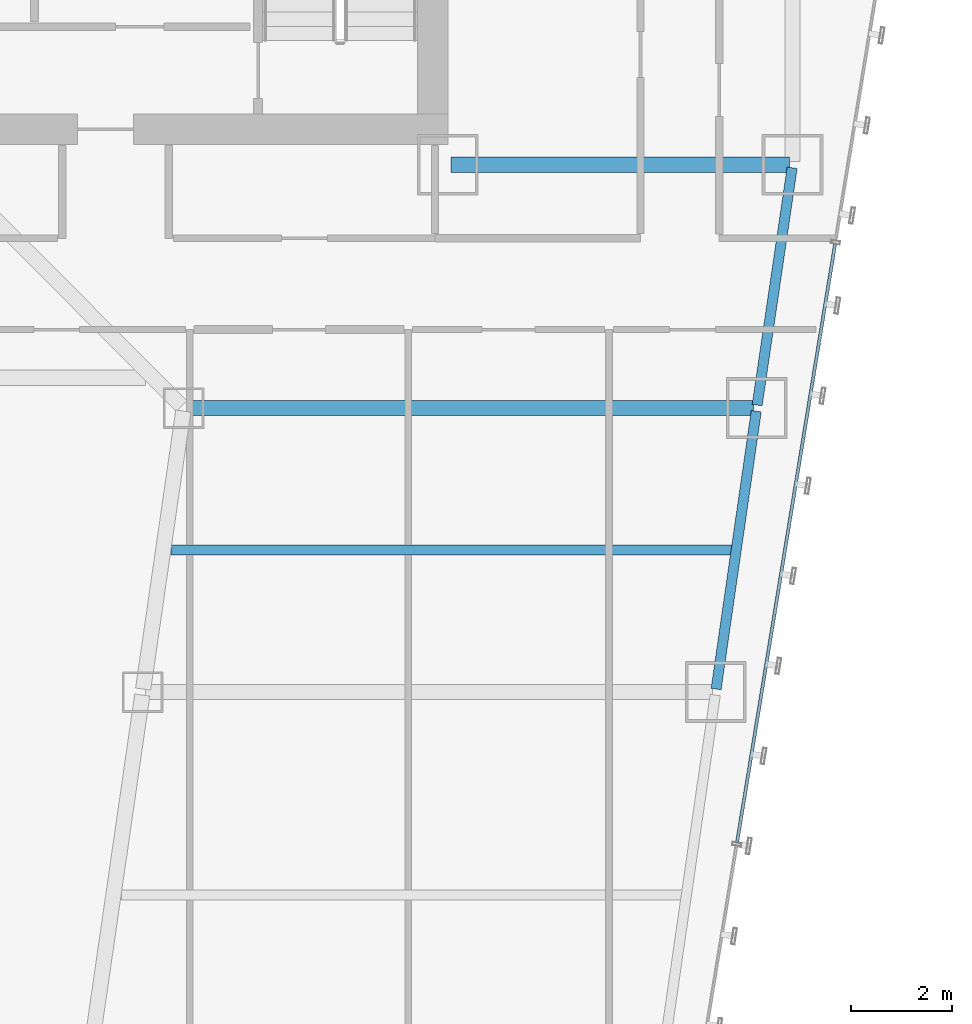
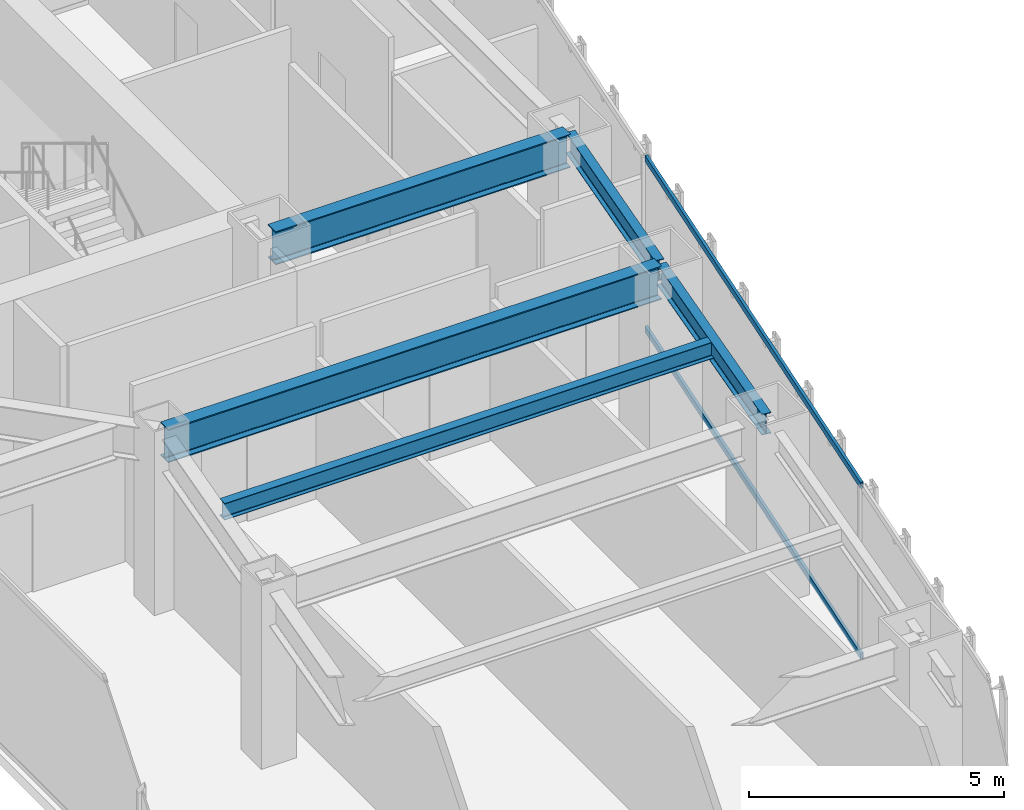
# One storey, part 30 of 47: 5 beams, 2 members, 1 element without a shape of its own.
"""IFC4 building model written with IfcOpenShell, lengths in metres."""

from ifc_helpers import new_model, si_unit, direction, frame, origin, origin_2d, place, context, subcontext, project, spatial, hollow_rectangle, i_section, extrude, material, material_profile, profile_set, type_object, element, aggregate, save


model = new_model("IFC4")

# Units and contexts
model_context = context("Model", 3, precision=1e-05, world=origin(), true_north=direction((0.0, 1.0)))
body_context = subcontext(model_context, "Body", "Model", "MODEL_VIEW")
ifc_project = project(units=[si_unit("LENGTHUNIT", "METRE"), si_unit("AREAUNIT", "SQUARE_METRE"), si_unit("VOLUMEUNIT", "CUBIC_METRE"), si_unit("PLANEANGLEUNIT", "RADIAN"), si_unit("MASSUNIT", "GRAM", prefix="KILO")], contexts=[model_context])

# Site, building, storey
site_placement = place(None, origin())
site = spatial("IfcSite", under=ifc_project, at=site_placement, CompositionType="ELEMENT")
building_placement = place(site_placement, origin())
building = spatial("IfcBuilding", under=site, at=building_placement, Name="Saevonmaru Cultural Tower", CompositionType="ELEMENT")
storey_placement = place(building_placement, frame((0.0, 0.0, 92.800048828125)))
storey = spatial("IfcBuildingStorey", under=building, at=storey_placement, Name="L19", CompositionType="ELEMENT", Elevation=92.800048828125)

# Beams
ifc_material_1 = material(Name="Steel SM420", Category="steel")
ifc_material_profile_1 = material_profile(ifc_material_1, i_section(OverallWidth=0.300048828125, OverallDepth=0.800048828125, WebThickness=0.013916015625, FlangeThickness=0.02587890625, FilletRadius=0.028076171875, at=origin_2d()), Name="H-800x300x14x26")
ifc_profile_set_1 = profile_set([ifc_material_profile_1], Name="Steel SM420")
beam_type_1 = type_object("IfcBeamType", Name="BM-G-H800", PredefinedType="BEAM", material=ifc_profile_set_1)
beam_1_placement = place(storey_placement, frame((46.4599609375, 42.39990234375, 3.75), z_axis=(1.0, 0.0, 0.0), x_axis=(0.0, 1.0, 0.0)))
element("IfcBeam", 1, at=beam_1_placement, inside=storey, type_object=beam_type_1, Name="L19 Core South Girder 5", PredefinedType="BEAM", context=body_context, shape_type="SweptSolid", body=[
    extrude(i_section(OverallWidth=0.300048828125, OverallDepth=0.800048828125, WebThickness=0.013916015625, FlangeThickness=0.02587890625, FilletRadius=0.028076171875, at=origin_2d()), origin(), (0.0, 0.0, 1.0), 6.679931640625),
])
beam_2_placement = place(storey_placement, frame((41.251953125, 37.60009765625, 3.75), z_axis=(1.0, 0.0, 0.0), x_axis=(0.0, 1.0, 0.0)))
element("IfcBeam", 2, at=beam_2_placement, inside=storey, type_object=beam_type_1, Name="L19 East Wing Transverse Girder 6", PredefinedType="BEAM", context=body_context, shape_type="SweptSolid", body=[
    extrude(i_section(OverallWidth=0.300048828125, OverallDepth=0.800048828125, WebThickness=0.013916015625, FlangeThickness=0.02587890625, FilletRadius=0.028076171875, at=origin_2d()), origin(), (0.0, 0.0, 1.0), 11.179931640625),
])
ifc_material_2 = material(Name="Steel SM355", Category="steel")
ifc_material_profile_2 = material_profile(ifc_material_2, i_section(OverallWidth=0.199951171875, OverallDepth=0.39990234375, WebThickness=0.008056640625, FlangeThickness=0.012939453125, FilletRadius=0.01611328125, at=origin_2d()), Name="H-400x200x8x13")
ifc_profile_set_2 = profile_set([ifc_material_profile_2], Name="Steel SM355")
beam_type_2 = type_object("IfcBeamType", Name="BM-J-H400", PredefinedType="JOIST", material=ifc_profile_set_2)
beam_3_placement = place(storey_placement, frame((40.945556640625, 34.800048828125, 3.949951171875), z_axis=(1.0, 0.0, 0.0), x_axis=(0.0, 1.0, 0.0)))
element("IfcBeam", 3, at=beam_3_placement, inside=storey, type_object=beam_type_2, Name="L19 East Wing Floor Joist 5", PredefinedType="JOIST", context=body_context, shape_type="SweptSolid", body=[
    extrude(i_section(OverallWidth=0.199951171875, OverallDepth=0.39990234375, WebThickness=0.008056640625, FlangeThickness=0.012939453125, FilletRadius=0.01611328125, at=origin_2d()), origin(), (0.0, 0.0, 1.0), 11.08203125),
])
ifc_material_profile_3 = material_profile(ifc_material_2, i_section(OverallWidth=0.199951171875, OverallDepth=0.5, WebThickness=0.010009765625, FlangeThickness=0.01611328125, FilletRadius=0.02001953125, at=origin_2d()), Name="H-500x200x10x16")
ifc_profile_set_3 = profile_set([ifc_material_profile_3], Name="Steel SM355")
beam_type_3 = type_object("IfcBeamType", Name="BM-SP-H500", PredefinedType="SPANDREL", material=ifc_profile_set_3)
beam_4_placement = place(storey_placement, frame((51.691650390625, 32.059326171875, 3.89990234375), z_axis=(0.142964121327, 0.989727871697, 0.0), x_axis=(-0.989727871697, 0.142964121327, 0.0)))
element("IfcBeam", 4, at=beam_4_placement, inside=storey, type_object=beam_type_3, Name="L19 East Splayed Spandrel 5", PredefinedType="SPANDREL", context=body_context, shape_type="SweptSolid", body=[
    extrude(i_section(OverallWidth=0.199951171875, OverallDepth=0.5, WebThickness=0.010009765625, FlangeThickness=0.01611328125, FilletRadius=0.02001953125, at=origin_2d()), origin(), (0.0, 0.0, 1.0), 5.5380859375),
])
beam_5_placement = place(storey_placement, frame((52.500732421875, 37.659423828125, 3.89990234375), z_axis=(0.145912860028, 0.989297446312, 0.0), x_axis=(-0.989297446312, 0.145912860028, 0.0)))
element("IfcBeam", 5, at=beam_5_placement, inside=storey, type_object=beam_type_3, Name="L19 East Splayed Spandrel 6", PredefinedType="SPANDREL", context=body_context, shape_type="SweptSolid", body=[
    extrude(i_section(OverallWidth=0.199951171875, OverallDepth=0.5, WebThickness=0.010009765625, FlangeThickness=0.01611328125, FilletRadius=0.02001953125, at=origin_2d()), origin(), (0.0, 0.0, 1.0), 4.731689453125),
])

# Curtain wall, members
ifc_material_3 = material(Name="Satin Bronze Anodised Aluminium", Category="aluminium")
curtain_wall_type = type_object("IfcCurtainWallType", Name="CW-TYP-A", PredefinedType="NOTDEFINED", material=ifc_material_3)
curtain_wall_placement = place(storey_placement, origin())
curtain_wall = element("IfcCurtainWall", 6, at=curtain_wall_placement, inside=storey, type_object=curtain_wall_type, Name="L19 Unitised Curtain Wall E8", PredefinedType="NOTDEFINED")
ifc_material_profile_4 = material_profile(ifc_material_3, hollow_rectangle(XDim=0.06494140625, YDim=0.14990234375, WallThickness=0.00390625, at=origin_2d()), Name="ALU-TRAN-150x65x4")
ifc_profile_set_4 = profile_set([ifc_material_profile_4], Name="Satin Bronze Anodised Aluminium")
member_type = type_object("IfcMemberType", Name="TR-CW-150x65", PredefinedType="USERDEFINED", material=ifc_profile_set_4)
member_1_placement = place(storey_placement, frame((52.105224609375, 29.031982421875, 0.032470703125), z_axis=(0.161701400727, 0.986839732177, 0.0), x_axis=(-0.986839732177, 0.161701400727, 0.0)))
member_1 = element("IfcMember", 7, at=member_1_placement, type_object=member_type, Name="CW-TW-L19-E8 transom 3.1", ObjectType="TRANSOM", PredefinedType="USERDEFINED", context=body_context, shape_type="SweptSolid", body=[
    extrude(hollow_rectangle(XDim=0.06494140625, YDim=0.14990234375, WallThickness=0.00390625, at=origin_2d()), origin(), (0.0, 0.0, 1.0), 11.9638671875),
])
member_2_placement = place(storey_placement, frame((52.105224609375, 29.031982421875, 4.117431640625), z_axis=(0.161701400727, 0.986839732177, 0.0), x_axis=(-0.986839732177, 0.161701400727, 0.0)))
member_2 = element("IfcMember", 8, at=member_2_placement, type_object=member_type, Name="CW-TW-L19-E8 transom 3.2", ObjectType="TRANSOM", PredefinedType="USERDEFINED", context=body_context, shape_type="SweptSolid", body=[
    extrude(hollow_rectangle(XDim=0.06494140625, YDim=0.14990234375, WallThickness=0.00390625, at=origin_2d()), origin(), (0.0, 0.0, 1.0), 11.9638671875),
])
aggregate(curtain_wall, [member_1, member_2])

save(model, "model.ifc")
